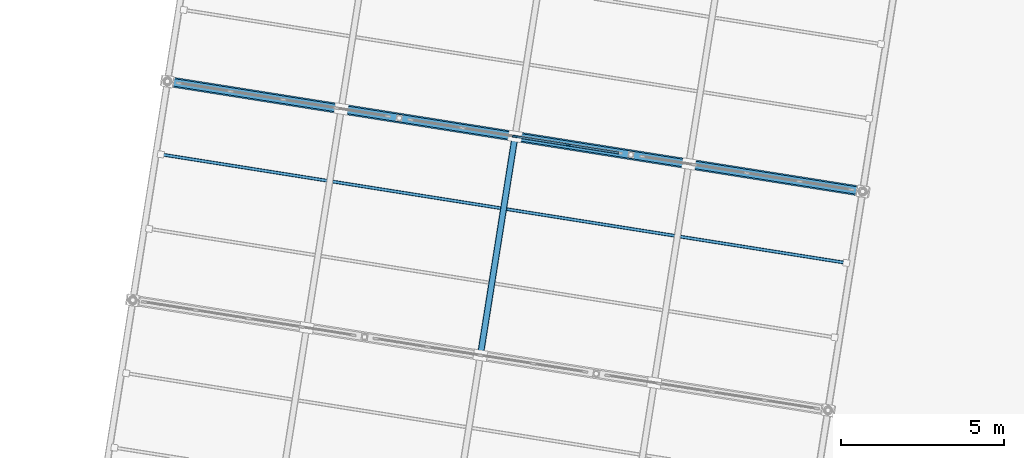
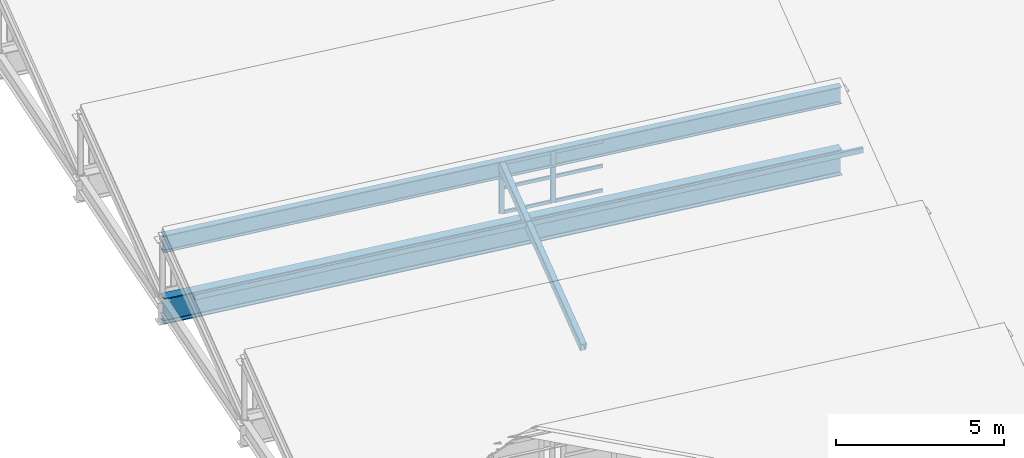
# One storey, part 39 of 65: 10 members, 2 beams, 1 element without a shape of its own.
"""IFC4 building model written with IfcOpenShell, lengths in metres."""

from ifc_helpers import new_model, si_unit, direction, frame, origin, origin_2d, place, context, subcontext, project, spatial, rectangle, hollow_rectangle, i_section, extrude, material, material_profile, profile_set, type_object, element, aggregate, save


model = new_model("IFC4")

# Units and contexts
model_context = context("Model", 3, precision=1e-05, world=origin(), true_north=direction((0.0, 1.0)))
body_context = subcontext(model_context, "Body", "Model", "MODEL_VIEW")
ifc_project = project(units=[si_unit("LENGTHUNIT", "METRE"), si_unit("AREAUNIT", "SQUARE_METRE"), si_unit("VOLUMEUNIT", "CUBIC_METRE"), si_unit("PLANEANGLEUNIT", "RADIAN"), si_unit("MASSUNIT", "GRAM", prefix="KILO")], contexts=[model_context])

# Site, building, storey
site_placement = place(None, origin())
site = spatial("IfcSite", under=ifc_project, at=site_placement, CompositionType="ELEMENT")
building_placement = place(site_placement, origin())
building = spatial("IfcBuilding", under=site, at=building_placement, Name="Cinderway Yard Community Centre", CompositionType="ELEMENT")
storey_placement = place(building_placement, frame((0.0, 0.0, 24.300048828125)))
storey = spatial("IfcBuildingStorey", under=building, at=storey_placement, Name="RF", CompositionType="ELEMENT", Elevation=24.300048828125)

# Curtain wall, members
ifc_material_1 = material(Name="Aluminium 6063-T6", Category="aluminium")
curtain_wall_type = type_object("IfcCurtainWallType", Name="ENV-CW-TYPE-23", PredefinedType="USERDEFINED", material=ifc_material_1)
curtain_wall_placement = place(storey_placement, origin())
curtain_wall = element("IfcCurtainWall", 1, at=curtain_wall_placement, inside=storey, type_object=curtain_wall_type, Name="Sawtooth North-Light Clerestory ENV-CW-RF-ST-0079", ObjectType="GLAZED CURTAIN WALL", PredefinedType="USERDEFINED")
ifc_material_profile_1 = material_profile(ifc_material_1, rectangle(XDim=0.06005859375, YDim=0.159912109375, at=origin_2d()), Name="Aluminium 6063-T6")
ifc_profile_set_1 = profile_set([ifc_material_profile_1], Name="Aluminium 6063-T6")
member_type_1 = type_object("IfcMemberType", Name="ENV-CW-MULL-150", PredefinedType="MULLION", material=ifc_profile_set_1)
member_1_placement = place(storey_placement, frame((131.8583984375, 56.45947265625, -10.199951171875), z_axis=(0.0, 0.0, 1.0), x_axis=(0.156557479266, 0.987668849203, 0.0)))
member_1 = element("IfcMember", 2, at=member_1_placement, type_object=member_type_1, Name="CW-23 mullion 3", PredefinedType="MULLION", context=body_context, shape_type="SweptSolid", body=[
    extrude(rectangle(XDim=0.06005859375, YDim=0.159912109375, at=origin_2d()), origin(), (0.0, 0.0, 1.0), 1.849853515625),
])
member_2_placement = place(storey_placement, frame((133.478271484375, 56.20263671875, -10.199951171875), z_axis=(0.0, 0.0, 1.0), x_axis=(0.156557479266, 0.987668849203, 0.0)))
member_2 = element("IfcMember", 3, at=member_2_placement, type_object=member_type_1, Name="CW-23 mullion 4", PredefinedType="MULLION", context=body_context, shape_type="SweptSolid", body=[
    extrude(rectangle(XDim=0.06005859375, YDim=0.159912109375, at=origin_2d()), origin(), (0.0, 0.0, 1.0), 1.849853515625),
])
ifc_material_profile_2 = material_profile(ifc_material_1, rectangle(XDim=0.06005859375, YDim=0.1201171875, at=origin_2d()), Name="Aluminium 6063-T6")
ifc_profile_set_2 = profile_set([ifc_material_profile_2], Name="Aluminium 6063-T6")
member_type_2 = type_object("IfcMemberType", Name="ENV-CW-TRAN-110", PredefinedType="USERDEFINED", material=ifc_profile_set_2)
member_3_placement = place(storey_placement, frame((131.88818359375, 56.454833984375, -10.170166015625), z_axis=(0.98767385289, -0.156525909414, 0.0), x_axis=(0.156525909414, 0.98767385289, 0.0)))
member_3 = element("IfcMember", 4, at=member_3_placement, type_object=member_type_2, Name="CW-23 transom 3.1", ObjectType="TRANSOM", PredefinedType="USERDEFINED", context=body_context, shape_type="SweptSolid", body=[
    extrude(rectangle(XDim=0.06005859375, YDim=0.1201171875, at=origin_2d()), origin(), (0.0, 0.0, 1.0), 1.580078125),
])
member_4_placement = place(storey_placement, frame((131.88818359375, 56.454833984375, -9.280029296875), z_axis=(0.98767385289, -0.156525909414, 0.0), x_axis=(0.156525909414, 0.98767385289, 0.0)))
member_4 = element("IfcMember", 5, at=member_4_placement, type_object=member_type_2, Name="CW-23 transom 3.2", ObjectType="TRANSOM", PredefinedType="USERDEFINED", context=body_context, shape_type="SweptSolid", body=[
    extrude(rectangle(XDim=0.06005859375, YDim=0.1201171875, at=origin_2d()), origin(), (0.0, 0.0, 1.0), 1.580078125),
])
member_5_placement = place(storey_placement, frame((131.88818359375, 56.454833984375, -8.380126953125), z_axis=(0.98767385289, -0.156525909414, 0.0), x_axis=(0.156525909414, 0.98767385289, 0.0)))
member_5 = element("IfcMember", 6, at=member_5_placement, type_object=member_type_2, Name="CW-23 transom 3.3", ObjectType="TRANSOM", PredefinedType="USERDEFINED", context=body_context, shape_type="SweptSolid", body=[
    extrude(rectangle(XDim=0.06005859375, YDim=0.1201171875, at=origin_2d()), origin(), (0.0, 0.0, 1.0), 1.580078125),
])
member_6_placement = place(storey_placement, frame((133.5078125, 56.197998046875, -10.170166015625), z_axis=(0.987669567129, -0.156552950044, 0.0), x_axis=(0.156552950044, 0.987669567129, 0.0)))
member_6 = element("IfcMember", 7, at=member_6_placement, type_object=member_type_2, Name="CW-23 transom 4.1", ObjectType="TRANSOM", PredefinedType="USERDEFINED", context=body_context, shape_type="SweptSolid", body=[
    extrude(rectangle(XDim=0.06005859375, YDim=0.1201171875, at=origin_2d()), origin(), (0.0, 0.0, 1.0), 1.550048828125),
])
member_7_placement = place(storey_placement, frame((133.5078125, 56.197998046875, -9.280029296875), z_axis=(0.987669567129, -0.156552950044, 0.0), x_axis=(0.156552950044, 0.987669567129, 0.0)))
member_7 = element("IfcMember", 8, at=member_7_placement, type_object=member_type_2, Name="CW-23 transom 4.2", ObjectType="TRANSOM", PredefinedType="USERDEFINED", context=body_context, shape_type="SweptSolid", body=[
    extrude(rectangle(XDim=0.06005859375, YDim=0.1201171875, at=origin_2d()), origin(), (0.0, 0.0, 1.0), 1.550048828125),
])
member_8_placement = place(storey_placement, frame((133.5078125, 56.197998046875, -8.380126953125), z_axis=(0.987669567129, -0.156552950044, 0.0), x_axis=(0.156552950044, 0.987669567129, 0.0)))
member_8 = element("IfcMember", 9, at=member_8_placement, type_object=member_type_2, Name="CW-23 transom 4.3", ObjectType="TRANSOM", PredefinedType="USERDEFINED", context=body_context, shape_type="SweptSolid", body=[
    extrude(rectangle(XDim=0.06005859375, YDim=0.1201171875, at=origin_2d()), origin(), (0.0, 0.0, 1.0), 1.550048828125),
])
aggregate(curtain_wall, [member_1, member_2, member_3, member_4, member_5, member_6, member_7, member_8])

# Beams
ifc_material_2 = material(Name="Steel S355", Category="steel")
ifc_material_profile_3 = material_profile(ifc_material_2, i_section(OverallWidth=0.22998046875, OverallDepth=0.616943359375, WebThickness=0.011962890625, FlangeThickness=0.01953125, FilletRadius=0.01611328125, at=origin_2d()), Name="Steel S355")
ifc_profile_set_3 = profile_set([ifc_material_profile_3], Name="Steel S355")
beam_type_1 = type_object("IfcBeamType", Name="STR-BM-W610X140", PredefinedType="BEAM", material=ifc_profile_set_3)
beam_1_placement = place(storey_placement, frame((121.19091796875, 58.14892578125, -8.55810546875), z_axis=(0.987688805013, -0.156431532791, 0.0), x_axis=(0.156431532791, 0.987688805013, 0.0)))
element("IfcBeam", 10, at=beam_1_placement, inside=storey, type_object=beam_type_1, Name="Sawtooth apex girder STR-BM-RF-SB05-1018", PredefinedType="BEAM", context=body_context, shape_type="SweptSolid", body=[
    extrude(i_section(OverallWidth=0.22998046875, OverallDepth=0.616943359375, WebThickness=0.011962890625, FlangeThickness=0.01953125, FilletRadius=0.01611328125, at=origin_2d()), origin(), (0.0, 0.0, 1.0), 21.599853515625),
])
ifc_material_profile_4 = material_profile(ifc_material_2, i_section(OverallWidth=0.30908203125, OverallDepth=0.931884765625, WebThickness=0.017333984375, FlangeThickness=0.030029296875, FilletRadius=0.02392578125, at=origin_2d()), Name="Steel S355")
ifc_profile_set_4 = profile_set([ifc_material_profile_4], Name="Steel S355")
beam_type_2 = type_object("IfcBeamType", Name="STR-BM-W920X313", PredefinedType="BEAM", material=ifc_profile_set_4)
beam_2_placement = place(storey_placement, frame((121.19091796875, 58.14892578125, -10.966064453125), z_axis=(0.987688805013, -0.156431532791, 0.0), x_axis=(0.156431532791, 0.987688805013, 0.0)))
element("IfcBeam", 11, at=beam_2_placement, inside=storey, type_object=beam_type_2, Name="Sports Hall clear-span girder 04", PredefinedType="BEAM", context=body_context, shape_type="SweptSolid", body=[
    extrude(i_section(OverallWidth=0.30908203125, OverallDepth=0.931884765625, WebThickness=0.017333984375, FlangeThickness=0.030029296875, FilletRadius=0.02392578125, at=origin_2d()), origin(), (0.0, 0.0, 1.0), 21.599853515625),
])

# Members
ifc_material_profile_5 = material_profile(ifc_material_2, hollow_rectangle(XDim=0.10009765625, YDim=0.199951171875, WallThickness=0.008056640625, InnerFilletRadius=0.008056640625, OuterFilletRadius=0.01611328125, at=origin_2d()), Name="Steel S355")
ifc_profile_set_5 = profile_set([ifc_material_profile_5], Name="Steel S355")
member_type_3 = type_object("IfcMemberType", Name="STR-MEM-PURLIN-200", PredefinedType="PURLIN", material=ifc_profile_set_5)
member_9_placement = place(storey_placement, frame((120.988037109375, 55.908935546875, -9.095947265625), z_axis=(0.98768859846, -0.156432836938, 0.0), x_axis=(0.156432836938, 0.98768859846, 0.0)))
element("IfcMember", 12, at=member_9_placement, inside=storey, type_object=member_type_3, Name="Sawtooth roof purlin B3-67", PredefinedType="PURLIN", context=body_context, shape_type="SweptSolid", body=[
    extrude(hollow_rectangle(XDim=0.10009765625, YDim=0.199951171875, WallThickness=0.008056640625, InnerFilletRadius=0.008056640625, OuterFilletRadius=0.01611328125, at=origin_2d()), origin(), (0.0, 0.0, 1.0), 21.300048828125),
])
ifc_material_profile_6 = material_profile(ifc_material_2, hollow_rectangle(XDim=0.199951171875, YDim=0.300048828125, WallThickness=0.012451171875, InnerFilletRadius=0.012451171875, OuterFilletRadius=0.02490234375, at=origin_2d()), Name="Steel S355")
ifc_profile_set_6 = profile_set([ifc_material_profile_6], Name="Steel S355")
member_type_4 = type_object("IfcMemberType", Name="STR-MEM-RAFTER-300", PredefinedType="RAFTER", material=ifc_profile_set_6)
member_10_placement = place(storey_placement, frame((130.794921875, 49.742919921875, -10.6201171875), z_axis=(0.148738439938, 0.93974408458, 0.307827763501), x_axis=(-0.987704964315, 0.156329470887, 0.0)))
element("IfcMember", 13, at=member_10_placement, inside=storey, type_object=member_type_4, Name="Sawtooth raked rafter B3-108", PredefinedType="RAFTER", context=body_context, shape_type="SweptSolid", body=[
    extrude(hollow_rectangle(XDim=0.199951171875, YDim=0.300048828125, WallThickness=0.012451171875, InnerFilletRadius=0.012451171875, OuterFilletRadius=0.02490234375, at=origin_2d()), origin(), (0.0, 0.0, 1.0), 7.146728515625),
])

save(model, "model.ifc")
